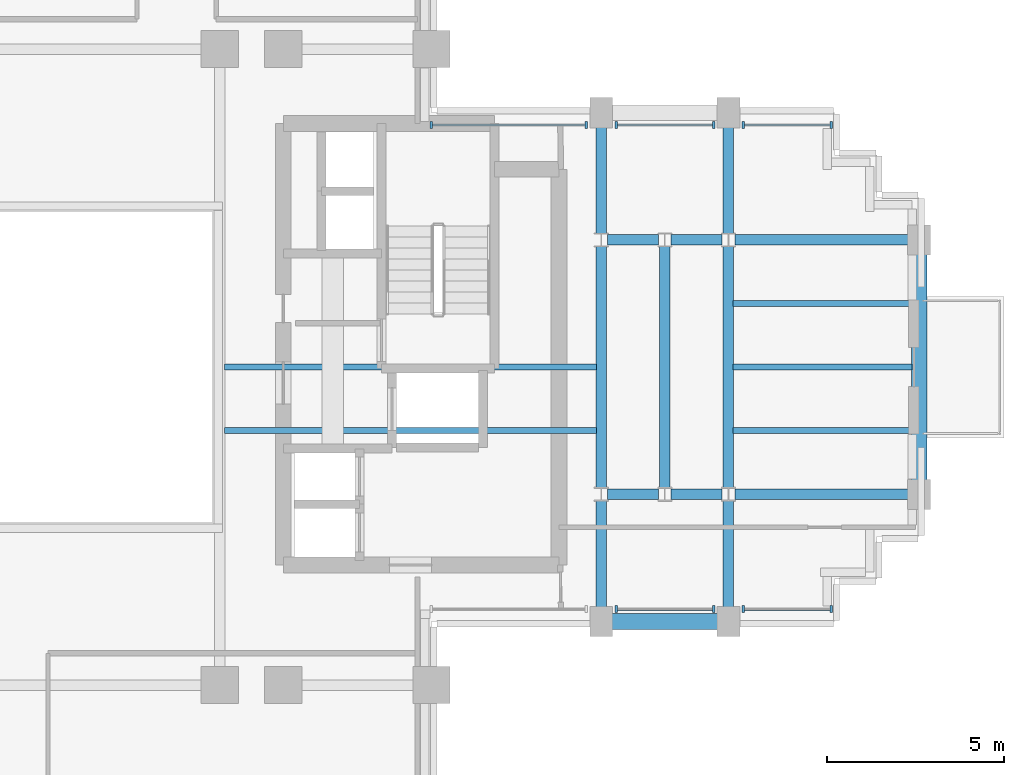
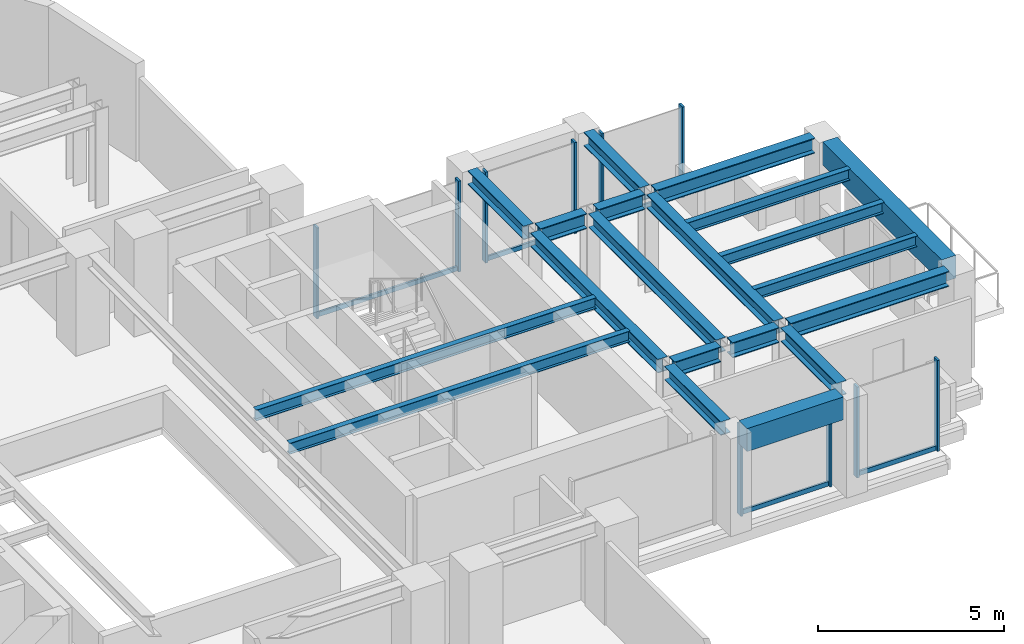
# One storey, part 5 of 13: 20 beams, 15 members, 5 elements without a shape of their own.
"""IFC4 building model written with IfcOpenShell, lengths in metres."""

from ifc_helpers import new_model, si_unit, direction, frame, origin, origin_2d, place, context, subcontext, project, spatial, rectangle, i_section, extrude, source, transform, mapped, material, material_profile, profile_set, type_object, element, aggregate, save


model = new_model("IFC4")

# Units and contexts
model_context = context("Model", 3, precision=1e-05, world=origin(), true_north=direction((0.0, 1.0)))
body_context = subcontext(model_context, "Body", "Model", "MODEL_VIEW")
ifc_project = project(units=[si_unit("LENGTHUNIT", "METRE"), si_unit("AREAUNIT", "SQUARE_METRE"), si_unit("VOLUMEUNIT", "CUBIC_METRE"), si_unit("PLANEANGLEUNIT", "RADIAN"), si_unit("MASSUNIT", "GRAM", prefix="KILO")], contexts=[model_context])

# Site, building, storey
site_placement = place(None, origin())
site = spatial("IfcSite", under=ifc_project, at=site_placement, CompositionType="ELEMENT")
building_placement = place(site_placement, origin())
building = spatial("IfcBuilding", under=site, at=building_placement, Name="Keilestroom Media Tower", CompositionType="ELEMENT")
storey_placement = place(building_placement, frame((0.0, 0.0, 100.60009765625)))
storey = spatial("IfcBuildingStorey", under=building, at=storey_placement, Name="L26", CompositionType="ELEMENT", Elevation=100.60009765625)

# Beams
ifc_material_1 = material(Name="Steel S355", Category="steel")
ifc_material_profile_1 = material_profile(ifc_material_1, i_section(OverallWidth=0.169921875, OverallDepth=0.360107421875, WebThickness=0.008056640625, FlangeThickness=0.0126953125, at=origin_2d()), Name="IPE 360")
ifc_profile_set_1 = profile_set([ifc_material_profile_1], Name="Steel S355")
beam_type_1 = type_object("IfcBeamType", Name="Secondary-Floor-Joist-IPE-360", PredefinedType="JOIST", material=ifc_profile_set_1)
shared_shape_1 = source(origin(), body_context, "Body", "SweptSolid", [
    extrude(i_section(OverallWidth=0.169921875, OverallDepth=0.360107421875, WebThickness=0.008056640625, FlangeThickness=0.0126953125, at=origin_2d()), origin(), (0.0, 0.0, 1.0), 10.5400390625),
])
for number, where, z_axis, x_axis, name in (
    (1, (3.72998046875, -1.800048828125, 3.02001953125), (1.0, 0.0, 0.0), (0.0, 1.0, 0.0), "L26 Beam BJ-5 JST-L26-074"),
    (2, (3.72998046875, 0.0, 3.02001953125), (1.0, 0.0, 0.0), (0.0, 1.0, 0.0), "L26 Beam BJ-5 JST-L26-079"),
):
    element("IfcBeam", number, at=place(storey_placement, frame(where, z_axis=z_axis, x_axis=x_axis)), inside=storey, type_object=beam_type_1, Name=name, PredefinedType="JOIST", context=body_context, shape_type="MappedRepresentation", body=[
        mapped(shared_shape_1, transform((0.0, 0.0, 0.0), x_axis=(1.0, 0.0, 0.0), y_axis=(0.0, 1.0, 0.0), z_axis=(0.0, 0.0, 1.0), scale=1.0)),
    ])
ifc_material_2 = material(Name="Precast concrete C40/50", Category="concrete")
ifc_material_profile_2 = material_profile(ifc_material_2, rectangle(XDim=0.449951171875, YDim=0.75, at=origin_2d()), Name="PC 450x750")
ifc_profile_set_2 = profile_set([ifc_material_profile_2], Name="Precast concrete C40/50")
beam_type_2 = type_object("IfcBeamType", Name="Perimeter-Spandrel-Beam-PC-450x750", PredefinedType="SPANDREL", material=ifc_profile_set_2)
shared_shape_2 = source(origin(), body_context, "Body", "SweptSolid", [
    extrude(rectangle(XDim=0.449951171875, YDim=0.75, at=origin_2d()), origin(), (0.0, 0.0, 1.0), 2.989990234375),
])
beam_1_placement = place(storey_placement, frame((14.705078125, -7.199951171875, 2.824951171875), z_axis=(1.0, 0.0, 0.0), x_axis=(0.0, 1.0, 0.0)))
element("IfcBeam", 3, at=beam_1_placement, inside=storey, type_object=beam_type_2, Name="L26 Beam SPB-1 BM-L26-EW-013", PredefinedType="SPANDREL", context=body_context, shape_type="MappedRepresentation", body=[
    mapped(shared_shape_2, transform((0.0, 0.0, 0.0), x_axis=(1.0, 0.0, 0.0), y_axis=(0.0, 1.0, 0.0), z_axis=(0.0, 0.0, 1.0), scale=1.0)),
])
ifc_material_profile_3 = material_profile(ifc_material_1, i_section(OverallWidth=0.300048828125, OverallDepth=0.5, WebThickness=0.012451171875, FlangeThickness=0.028076171875, at=origin_2d()), Name="HEB 500")
ifc_profile_set_3 = profile_set([ifc_material_profile_3], Name="Steel S355")
beam_type_3 = type_object("IfcBeamType", Name="Primary-Structural-Girder-HEB-500", PredefinedType="BEAM", material=ifc_profile_set_3)
shared_shape_3 = source(origin(), body_context, "Body", "SweptSolid", [
    extrude(i_section(OverallWidth=0.300048828125, OverallDepth=0.5, WebThickness=0.012451171875, FlangeThickness=0.028076171875, at=origin_2d()), origin(), (0.0, 0.0, 1.0), 4.91455078125),
])
for number, where, z_axis, x_axis, name in (
    (4, (18.180419921875, -3.60009765625, 2.949951171875), (1.0, 0.0, 0.0), (0.0, 1.0, 0.0), "L26 Beam BG-6 BM-L26-EW-019"),
    (5, (18.180419921875, 3.60009765625, 2.949951171875), (1.0, 0.0, 0.0), (0.0, 1.0, 0.0), "L26 Beam BG-6 BM-L26-EW-025"),
):
    element("IfcBeam", number, at=place(storey_placement, frame(where, z_axis=z_axis, x_axis=x_axis)), inside=storey, type_object=beam_type_3, Name=name, PredefinedType="BEAM", context=body_context, shape_type="MappedRepresentation", body=[
        mapped(shared_shape_3, transform((0.0, 0.0, 0.0), x_axis=(1.0, 0.0, 0.0), y_axis=(0.0, 1.0, 0.0), z_axis=(0.0, 0.0, 1.0), scale=1.0)),
    ])
shared_shape_4 = source(origin(), body_context, "Body", "SweptSolid", [
    extrude(i_section(OverallWidth=0.300048828125, OverallDepth=0.5, WebThickness=0.012451171875, FlangeThickness=0.028076171875, at=origin_2d()), origin(), (0.0, 0.0, 1.0), 1.43896484375),
])
for number, where, z_axis, x_axis, name in (
    (6, (14.58056640625, -3.60009765625, 2.949951171875), (1.0, 0.0, 0.0), (0.0, 1.0, 0.0), "L26 Beam BG-6 BM-L26-EW-017"),
    (7, (16.380615234375, -3.60009765625, 2.949951171875), (1.0, 0.0, 0.0), (0.0, 1.0, 0.0), "L26 Beam BG-6 BM-L26-EW-018"),
    (8, (14.58056640625, 3.60009765625, 2.949951171875), (1.0, 0.0, 0.0), (0.0, 1.0, 0.0), "L26 Beam BG-6 BM-L26-EW-023"),
    (9, (16.380615234375, 3.60009765625, 2.949951171875), (1.0, 0.0, 0.0), (0.0, 1.0, 0.0), "L26 Beam BG-6 BM-L26-EW-024"),
):
    element("IfcBeam", number, at=place(storey_placement, frame(where, z_axis=z_axis, x_axis=x_axis)), inside=storey, type_object=beam_type_3, Name=name, PredefinedType="BEAM", context=body_context, shape_type="MappedRepresentation", body=[
        mapped(shared_shape_4, transform((0.0, 0.0, 0.0), x_axis=(1.0, 0.0, 0.0), y_axis=(0.0, 1.0, 0.0), z_axis=(0.0, 0.0, 1.0), scale=1.0)),
    ])
shared_shape_5 = source(origin(), body_context, "Body", "SweptSolid", [
    extrude(rectangle(XDim=0.449951171875, YDim=0.75, at=origin_2d()), origin(), (0.0, 0.0, 1.0), 6.39013671875),
])
beam_2_placement = place(storey_placement, frame((23.39990234375, -3.195068359375, 2.824951171875), z_axis=(0.0, 1.0, 0.0), x_axis=(-1.0, 0.0, 0.0)))
element("IfcBeam", 10, at=beam_2_placement, inside=storey, type_object=beam_type_2, Name="L26 Beam SPB-1 BM-L26-NS-068", PredefinedType="SPANDREL", context=body_context, shape_type="MappedRepresentation", body=[
    mapped(shared_shape_5, transform((0.0, 0.0, 0.0), x_axis=(1.0, 0.0, 0.0), y_axis=(0.0, 1.0, 0.0), z_axis=(0.0, 0.0, 1.0), scale=1.0)),
])
ifc_material_profile_4 = material_profile(ifc_material_1, i_section(OverallWidth=0.300048828125, OverallDepth=0.449951171875, WebThickness=0.011962890625, FlangeThickness=0.02587890625, at=origin_2d()), Name="HEB 450")
ifc_profile_set_4 = profile_set([ifc_material_profile_4], Name="Steel S355")
beam_type_4 = type_object("IfcBeamType", Name="Primary-Structural-Girder-HEB-450", PredefinedType="BEAM", material=ifc_profile_set_4)
shared_shape_6 = source(origin(), body_context, "Body", "SweptSolid", [
    extrude(i_section(OverallWidth=0.300048828125, OverallDepth=0.449951171875, WebThickness=0.011962890625, FlangeThickness=0.02587890625, at=origin_2d()), origin(), (0.0, 0.0, 1.0), 3.015380859375),
])
for number, where, z_axis, x_axis, name in (
    (11, (14.39990234375, -6.794921875, 2.974853515625), (0.0, 1.0, 0.0), (-1.0, 0.0, 0.0), "L26 Beam BG-7 BM-L26-NS-061"),
    (12, (14.39990234375, 3.779541015625, 2.974853515625), (0.0, 1.0, 0.0), (-1.0, 0.0, 0.0), "L26 Beam BG-7 BM-L26-NS-063"),
    (13, (18.0, -6.794921875, 2.974853515625), (0.0, 1.0, 0.0), (-1.0, 0.0, 0.0), "L26 Beam BG-7 BM-L26-NS-065"),
    (14, (18.0, 3.779541015625, 2.974853515625), (0.0, 1.0, 0.0), (-1.0, 0.0, 0.0), "L26 Beam BG-7 BM-L26-NS-067"),
):
    element("IfcBeam", number, at=place(storey_placement, frame(where, z_axis=z_axis, x_axis=x_axis)), inside=storey, type_object=beam_type_4, Name=name, PredefinedType="BEAM", context=body_context, shape_type="MappedRepresentation", body=[
        mapped(shared_shape_6, transform((0.0, 0.0, 0.0), x_axis=(1.0, 0.0, 0.0), y_axis=(0.0, 1.0, 0.0), z_axis=(0.0, 0.0, 1.0), scale=1.0)),
    ])
shared_shape_7 = source(origin(), body_context, "Body", "SweptSolid", [
    extrude(i_section(OverallWidth=0.300048828125, OverallDepth=0.449951171875, WebThickness=0.011962890625, FlangeThickness=0.02587890625, at=origin_2d()), origin(), (0.0, 0.0, 1.0), 6.8408203125),
])
for number, where, z_axis, x_axis, name in (
    (15, (14.39990234375, -3.42041015625, 2.974853515625), (0.0, 1.0, 0.0), (-1.0, 0.0, 0.0), "L26 Beam BG-7 BM-L26-NS-062"),
    (16, (16.199951171875, -3.42041015625, 2.974853515625), (0.0, 1.0, 0.0), (-1.0, 0.0, 0.0), "L26 Beam BG-7 BM-L26-NS-064"),
    (17, (18.0, -3.42041015625, 2.974853515625), (0.0, 1.0, 0.0), (-1.0, 0.0, 0.0), "L26 Beam BG-7 BM-L26-NS-066"),
):
    element("IfcBeam", number, at=place(storey_placement, frame(where, z_axis=z_axis, x_axis=x_axis)), inside=storey, type_object=beam_type_4, Name=name, PredefinedType="BEAM", context=body_context, shape_type="MappedRepresentation", body=[
        mapped(shared_shape_7, transform((0.0, 0.0, 0.0), x_axis=(1.0, 0.0, 0.0), y_axis=(0.0, 1.0, 0.0), z_axis=(0.0, 0.0, 1.0), scale=1.0)),
    ])
shared_shape_8 = source(origin(), body_context, "Body", "SweptSolid", [
    extrude(i_section(OverallWidth=0.169921875, OverallDepth=0.360107421875, WebThickness=0.008056640625, FlangeThickness=0.0126953125, at=origin_2d()), origin(), (0.0, 0.0, 1.0), 5.065185546875),
])
for number, where, z_axis, x_axis, name in (
    (18, (18.1298828125, -1.800048828125, 3.02001953125), (1.0, 0.0, 0.0), (0.0, 1.0, 0.0), "L26 Beam BJ-5 JST-L26-075"),
    (19, (18.1298828125, 0.0, 3.02001953125), (1.0, 0.0, 0.0), (0.0, 1.0, 0.0), "L26 Beam BJ-5 JST-L26-080"),
    (20, (18.1298828125, 1.800048828125, 3.02001953125), (1.0, 0.0, 0.0), (0.0, 1.0, 0.0), "L26 Beam BJ-5 JST-L26-085"),
):
    element("IfcBeam", number, at=place(storey_placement, frame(where, z_axis=z_axis, x_axis=x_axis)), inside=storey, type_object=beam_type_1, Name=name, PredefinedType="JOIST", context=body_context, shape_type="MappedRepresentation", body=[
        mapped(shared_shape_8, transform((0.0, 0.0, 0.0), x_axis=(1.0, 0.0, 0.0), y_axis=(0.0, 1.0, 0.0), z_axis=(0.0, 0.0, 1.0), scale=1.0)),
    ])

# Curtain wall, members
ifc_material_3 = material(Name="Anodised Aluminium Alloy", Category="aluminium")
curtain_wall_type = type_object("IfcCurtainWallType", Name="Unitised-Curtain-Wall-CW-2", PredefinedType="NOTDEFINED", material=ifc_material_3)
curtain_wall_1_placement = place(storey_placement, origin())
curtain_wall_1 = element("IfcCurtainWall", 21, at=curtain_wall_1_placement, inside=storey, type_object=curtain_wall_type, Name="L26 Curtain Wall CW-2 CW-L26-NE-1", PredefinedType="NOTDEFINED")
ifc_material_profile_5 = material_profile(ifc_material_3, rectangle(XDim=0.070068359375, YDim=0.199951171875, at=origin_2d()), Name="ALU MULLION 70x200")
ifc_profile_set_5 = profile_set([ifc_material_profile_5], Name="Anodised Aluminium Alloy")
member_type_1 = type_object("IfcMemberType", Name="Curtain-Wall-Mullion-CW-2", PredefinedType="MULLION", material=ifc_profile_set_5)
shared_shape_9 = source(origin(), body_context, "Body", "SweptSolid", [
    extrude(rectangle(XDim=0.070068359375, YDim=0.199951171875, at=origin_2d()), origin(), (0.0, 0.0, 1.0), 2.97998046875),
])
member_1_placement = place(storey_placement, frame((9.5849609375, 6.85009765625, 0.0), z_axis=(0.0, 0.0, 1.0), x_axis=(1.0, 0.0, 0.0)))
member_1 = element("IfcMember", 22, at=member_1_placement, type_object=member_type_1, Name="CW-2 Mullion 00", PredefinedType="MULLION", context=body_context, shape_type="MappedRepresentation", body=[
    mapped(shared_shape_9, transform((0.0, 0.0, 0.0), x_axis=(1.0, 0.0, 0.0), y_axis=(0.0, 1.0, 0.0), z_axis=(0.0, 0.0, 1.0), scale=1.0)),
])
member_2_placement = place(storey_placement, frame((13.97998046875, 6.85009765625, 0.0), z_axis=(0.0, 0.0, 1.0), x_axis=(1.0, 0.0, 0.0)))
member_2 = element("IfcMember", 23, at=member_2_placement, type_object=member_type_1, Name="CW-2 Mullion 01", PredefinedType="MULLION", context=body_context, shape_type="MappedRepresentation", body=[
    mapped(shared_shape_9, transform((0.0, 0.0, 0.0), x_axis=(1.0, 0.0, 0.0), y_axis=(0.0, 1.0, 0.0), z_axis=(0.0, 0.0, 1.0), scale=1.0)),
])

curtain_wall_2_placement = place(storey_placement, origin())
curtain_wall_2 = element("IfcCurtainWall", 24, at=curtain_wall_2_placement, inside=storey, type_object=curtain_wall_type, Name="L26 Curtain Wall CW-2 CW-L26-NE-2", PredefinedType="NOTDEFINED")
member_3_placement = place(storey_placement, frame((14.820068359375, 6.85009765625, 0.0), z_axis=(0.0, 0.0, 1.0), x_axis=(1.0, 0.0, 0.0)))
member_3 = element("IfcMember", 25, at=member_3_placement, type_object=member_type_1, Name="CW-2 Mullion 00", PredefinedType="MULLION", context=body_context, shape_type="MappedRepresentation", body=[
    mapped(shared_shape_9, transform((0.0, 0.0, 0.0), x_axis=(1.0, 0.0, 0.0), y_axis=(0.0, 1.0, 0.0), z_axis=(0.0, 0.0, 1.0), scale=1.0)),
])
member_4_placement = place(storey_placement, frame((17.580078125, 6.85009765625, 0.0), z_axis=(0.0, 0.0, 1.0), x_axis=(1.0, 0.0, 0.0)))
member_4 = element("IfcMember", 26, at=member_4_placement, type_object=member_type_1, Name="CW-2 Mullion 01", PredefinedType="MULLION", context=body_context, shape_type="MappedRepresentation", body=[
    mapped(shared_shape_9, transform((0.0, 0.0, 0.0), x_axis=(1.0, 0.0, 0.0), y_axis=(0.0, 1.0, 0.0), z_axis=(0.0, 0.0, 1.0), scale=1.0)),
])

curtain_wall_3_placement = place(storey_placement, origin())
curtain_wall_3 = element("IfcCurtainWall", 27, at=curtain_wall_3_placement, inside=storey, type_object=curtain_wall_type, Name="L26 Curtain Wall CW-2 CW-L26-NE-3", PredefinedType="NOTDEFINED")
member_5_placement = place(storey_placement, frame((18.419921875, 6.85009765625, 0.0), z_axis=(0.0, 0.0, 1.0), x_axis=(1.0, 0.0, 0.0)))
member_5 = element("IfcMember", 28, at=member_5_placement, type_object=member_type_1, Name="CW-2 Mullion 00", PredefinedType="MULLION", context=body_context, shape_type="MappedRepresentation", body=[
    mapped(shared_shape_9, transform((0.0, 0.0, 0.0), x_axis=(1.0, 0.0, 0.0), y_axis=(0.0, 1.0, 0.0), z_axis=(0.0, 0.0, 1.0), scale=1.0)),
])
member_6_placement = place(storey_placement, frame((20.9150390625, 6.85009765625, 0.0), z_axis=(0.0, 0.0, 1.0), x_axis=(1.0, 0.0, 0.0)))
member_6 = element("IfcMember", 29, at=member_6_placement, type_object=member_type_1, Name="CW-2 Mullion 01", PredefinedType="MULLION", context=body_context, shape_type="MappedRepresentation", body=[
    mapped(shared_shape_9, transform((0.0, 0.0, 0.0), x_axis=(1.0, 0.0, 0.0), y_axis=(0.0, 1.0, 0.0), z_axis=(0.0, 0.0, 1.0), scale=1.0)),
])

curtain_wall_4_placement = place(storey_placement, origin())
curtain_wall_4 = element("IfcCurtainWall", 30, at=curtain_wall_4_placement, inside=storey, type_object=curtain_wall_type, Name="L26 Curtain Wall CW-2 CW-L26-SE-2", PredefinedType="NOTDEFINED")
member_7_placement = place(storey_placement, frame((14.820068359375, -6.85009765625, 0.0), z_axis=(0.0, 0.0, 1.0), x_axis=(1.0, 0.0, 0.0)))
member_7 = element("IfcMember", 31, at=member_7_placement, type_object=member_type_1, Name="CW-2 Mullion 00", PredefinedType="MULLION", context=body_context, shape_type="MappedRepresentation", body=[
    mapped(shared_shape_9, transform((0.0, 0.0, 0.0), x_axis=(1.0, 0.0, 0.0), y_axis=(0.0, 1.0, 0.0), z_axis=(0.0, 0.0, 1.0), scale=1.0)),
])
member_8_placement = place(storey_placement, frame((17.580078125, -6.85009765625, 0.0), z_axis=(0.0, 0.0, 1.0), x_axis=(1.0, 0.0, 0.0)))
member_8 = element("IfcMember", 32, at=member_8_placement, type_object=member_type_1, Name="CW-2 Mullion 01", PredefinedType="MULLION", context=body_context, shape_type="MappedRepresentation", body=[
    mapped(shared_shape_9, transform((0.0, 0.0, 0.0), x_axis=(1.0, 0.0, 0.0), y_axis=(0.0, 1.0, 0.0), z_axis=(0.0, 0.0, 1.0), scale=1.0)),
])

curtain_wall_5_placement = place(storey_placement, origin())
curtain_wall_5 = element("IfcCurtainWall", 33, at=curtain_wall_5_placement, inside=storey, type_object=curtain_wall_type, Name="L26 Curtain Wall CW-2 CW-L26-SE-3", PredefinedType="NOTDEFINED")
member_9_placement = place(storey_placement, frame((18.419921875, -6.85009765625, 0.0), z_axis=(0.0, 0.0, 1.0), x_axis=(1.0, 0.0, 0.0)))
member_9 = element("IfcMember", 34, at=member_9_placement, type_object=member_type_1, Name="CW-2 Mullion 00", PredefinedType="MULLION", context=body_context, shape_type="MappedRepresentation", body=[
    mapped(shared_shape_9, transform((0.0, 0.0, 0.0), x_axis=(1.0, 0.0, 0.0), y_axis=(0.0, 1.0, 0.0), z_axis=(0.0, 0.0, 1.0), scale=1.0)),
])
member_10_placement = place(storey_placement, frame((20.9150390625, -6.85009765625, 0.0), z_axis=(0.0, 0.0, 1.0), x_axis=(1.0, 0.0, 0.0)))
member_10 = element("IfcMember", 35, at=member_10_placement, type_object=member_type_1, Name="CW-2 Mullion 01", PredefinedType="MULLION", context=body_context, shape_type="MappedRepresentation", body=[
    mapped(shared_shape_9, transform((0.0, 0.0, 0.0), x_axis=(1.0, 0.0, 0.0), y_axis=(0.0, 1.0, 0.0), z_axis=(0.0, 0.0, 1.0), scale=1.0)),
])

# Member
ifc_material_profile_6 = material_profile(ifc_material_3, rectangle(XDim=0.06494140625, YDim=0.14990234375, at=origin_2d()), Name="ALU TRANSOM 65x150")
ifc_profile_set_6 = profile_set([ifc_material_profile_6], Name="Anodised Aluminium Alloy")
member_type_2 = type_object("IfcMemberType", Name="Curtain-Wall-Transom-CW-2", PredefinedType="USERDEFINED", material=ifc_profile_set_6)
shared_shape_10 = source(origin(), body_context, "Body", "SweptSolid", [
    extrude(rectangle(XDim=0.06494140625, YDim=0.14990234375, at=origin_2d()), origin(), (0.0, 0.0, 1.0), 2.42919921875),
])
member_11_placement = place(storey_placement, frame((18.452880859375, 6.85009765625, 0.074951171875), z_axis=(1.0, 0.0, 0.0), x_axis=(0.0, 1.0, 0.0)))
member_11 = element("IfcMember", 36, at=member_11_placement, type_object=member_type_2, Name="CW-2 Transom 00.1", ObjectType="TRANSOM", PredefinedType="USERDEFINED", context=body_context, shape_type="MappedRepresentation", body=[
    mapped(shared_shape_10, transform((0.0, 0.0, 0.0), x_axis=(1.0, 0.0, 0.0), y_axis=(0.0, 1.0, 0.0), z_axis=(0.0, 0.0, 1.0), scale=1.0)),
])

aggregate(curtain_wall_3, [member_5, member_6, member_11])

member_12_placement = place(storey_placement, frame((18.452880859375, -6.85009765625, 0.074951171875), z_axis=(1.0, 0.0, 0.0), x_axis=(0.0, 1.0, 0.0)))
member_12 = element("IfcMember", 37, at=member_12_placement, type_object=member_type_2, Name="CW-2 Transom 00.1", ObjectType="TRANSOM", PredefinedType="USERDEFINED", context=body_context, shape_type="MappedRepresentation", body=[
    mapped(shared_shape_10, transform((0.0, 0.0, 0.0), x_axis=(1.0, 0.0, 0.0), y_axis=(0.0, 1.0, 0.0), z_axis=(0.0, 0.0, 1.0), scale=1.0)),
])

aggregate(curtain_wall_5, [member_9, member_10, member_12])

shared_shape_11 = source(origin(), body_context, "Body", "SweptSolid", [
    extrude(rectangle(XDim=0.06494140625, YDim=0.14990234375, at=origin_2d()), origin(), (0.0, 0.0, 1.0), 2.694091796875),
])
member_13_placement = place(storey_placement, frame((14.85302734375, 6.85009765625, 0.074951171875), z_axis=(1.0, 0.0, 0.0), x_axis=(0.0, 1.0, 0.0)))
member_13 = element("IfcMember", 38, at=member_13_placement, type_object=member_type_2, Name="CW-2 Transom 00.1", ObjectType="TRANSOM", PredefinedType="USERDEFINED", context=body_context, shape_type="MappedRepresentation", body=[
    mapped(shared_shape_11, transform((0.0, 0.0, 0.0), x_axis=(1.0, 0.0, 0.0), y_axis=(0.0, 1.0, 0.0), z_axis=(0.0, 0.0, 1.0), scale=1.0)),
])

aggregate(curtain_wall_2, [member_3, member_4, member_13])

member_14_placement = place(storey_placement, frame((14.85302734375, -6.85009765625, 0.074951171875), z_axis=(1.0, 0.0, 0.0), x_axis=(0.0, 1.0, 0.0)))
member_14 = element("IfcMember", 39, at=member_14_placement, type_object=member_type_2, Name="CW-2 Transom 00.1", ObjectType="TRANSOM", PredefinedType="USERDEFINED", context=body_context, shape_type="MappedRepresentation", body=[
    mapped(shared_shape_11, transform((0.0, 0.0, 0.0), x_axis=(1.0, 0.0, 0.0), y_axis=(0.0, 1.0, 0.0), z_axis=(0.0, 0.0, 1.0), scale=1.0)),
])

aggregate(curtain_wall_4, [member_7, member_8, member_14])

shared_shape_12 = source(origin(), body_context, "Body", "SweptSolid", [
    extrude(rectangle(XDim=0.06494140625, YDim=0.14990234375, at=origin_2d()), origin(), (0.0, 0.0, 1.0), 4.3291015625),
])
member_15_placement = place(storey_placement, frame((9.617919921875, 6.85009765625, 0.074951171875), z_axis=(1.0, 0.0, 0.0), x_axis=(0.0, 1.0, 0.0)))
member_15 = element("IfcMember", 40, at=member_15_placement, type_object=member_type_2, Name="CW-2 Transom 00.1", ObjectType="TRANSOM", PredefinedType="USERDEFINED", context=body_context, shape_type="MappedRepresentation", body=[
    mapped(shared_shape_12, transform((0.0, 0.0, 0.0), x_axis=(1.0, 0.0, 0.0), y_axis=(0.0, 1.0, 0.0), z_axis=(0.0, 0.0, 1.0), scale=1.0)),
])

aggregate(curtain_wall_1, [member_1, member_2, member_15])

save(model, "model.ifc")
